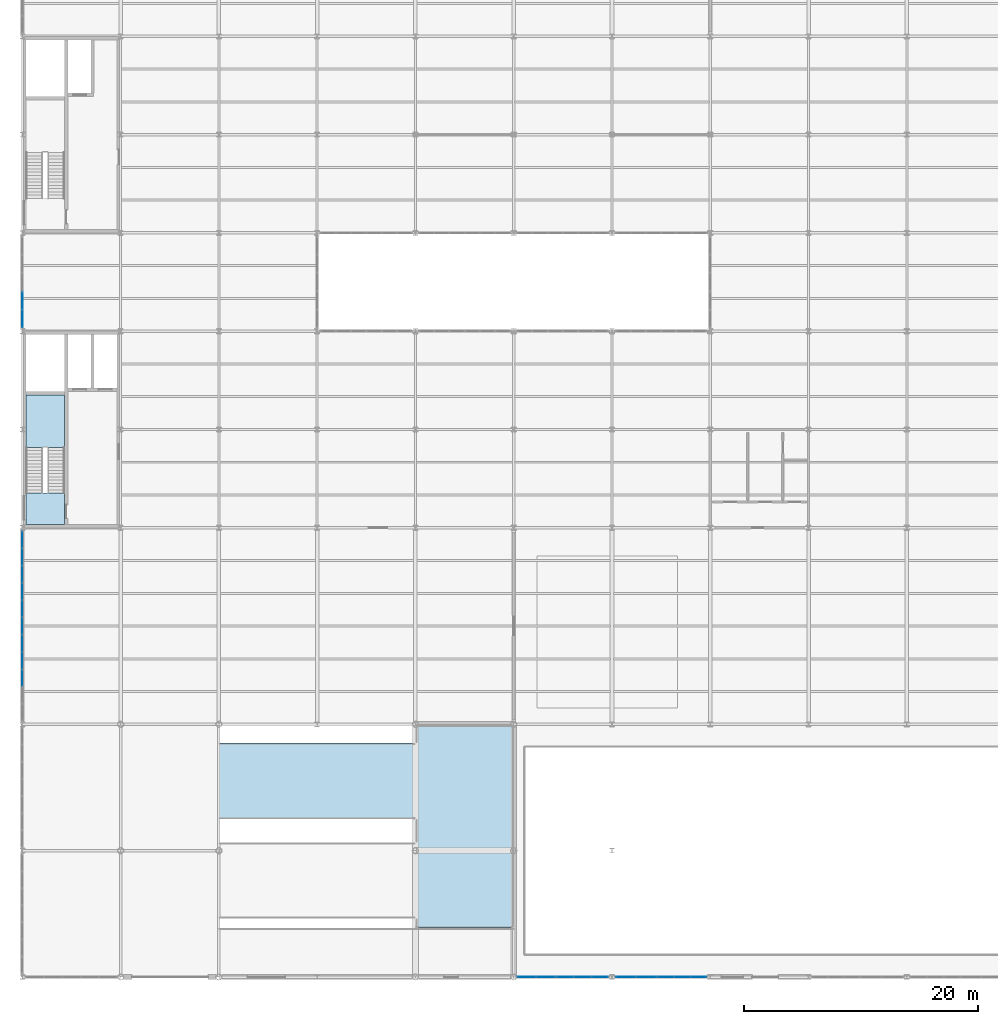
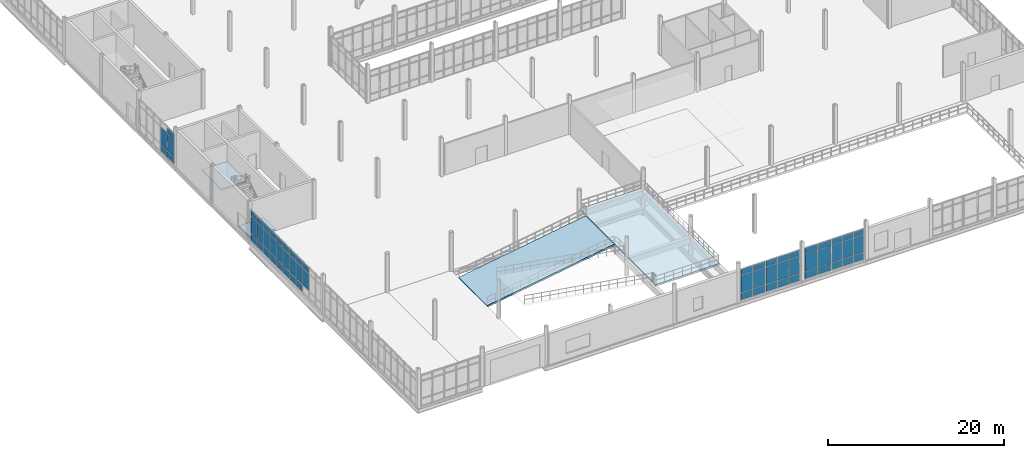
# One storey, part 77 of 111: 61 plates, 4 slabs, 7 elements without a shape of their own.
"""IFC4 building model written with IfcOpenShell, lengths in metres."""

from ifc_helpers import new_model, si_unit, direction, frame, origin, origin_2d, place, context, subcontext, project, spatial, polyline, rectangle, outline, extrude, material, layer, layer_set, type_object, element, aggregate, save


model = new_model("IFC4")

# Units and contexts
model_context = context("Model", 3, precision=1e-05, world=origin(), true_north=direction((0.0, 1.0)))
body_context = subcontext(model_context, "Body", "Model", "MODEL_VIEW")
ifc_project = project(units=[si_unit("LENGTHUNIT", "METRE"), si_unit("AREAUNIT", "SQUARE_METRE"), si_unit("VOLUMEUNIT", "CUBIC_METRE"), si_unit("PLANEANGLEUNIT", "RADIAN"), si_unit("MASSUNIT", "GRAM", prefix="KILO"), si_unit("THERMODYNAMICTEMPERATUREUNIT", "KELVIN"), si_unit("POWERUNIT", "WATT")], contexts=[model_context])

# Site, building, storey
site_placement = place(None, origin())
site = spatial("IfcSite", under=ifc_project, at=site_placement, CompositionType="ELEMENT")
building_placement = place(site_placement, origin())
building = spatial("IfcBuilding", under=site, at=building_placement, Name="Tembeka Court Mobility Hub", CompositionType="ELEMENT")
storey_placement = place(building_placement, origin())
storey = spatial("IfcBuildingStorey", under=building, at=storey_placement, Name="L00", CompositionType="ELEMENT", Elevation=0.0)

# Curtain wall, plates
ifc_material_1 = material(Name="Anodised aluminium 6063-T6", Category="aluminium")
ifc_layer_1 = layer(ifc_material_1, 0.159912109375)
ifc_layer_set_1 = layer_set([ifc_layer_1], Name="Anodised aluminium 6063-T6")
curtain_wall_type_1 = type_object("IfcCurtainWallType", Name="CW-SYS02", PredefinedType="USERDEFINED", material=ifc_layer_set_1)
curtain_wall_1_placement = place(storey_placement, origin())
curtain_wall_1 = element("IfcCurtainWall", 1, at=curtain_wall_1_placement, inside=storey, type_object=curtain_wall_type_1, Name="Unitised curtain wall CW02 (CW-L00-002)", ObjectType="UNITISED GLAZING", PredefinedType="USERDEFINED")
ifc_material_2 = material(Name="Laminated solar-control low-E glass", Category="glass")
ifc_layer_2 = layer(ifc_material_2, 0.028076171875)
ifc_layer_set_2 = layer_set([ifc_layer_2], Name="Laminated solar-control low-E glass")
plate_type_1 = type_object("IfcPlateType", Name="PL-CW01", PredefinedType="CURTAIN_PANEL", material=ifc_layer_set_2)
plate_1_placement = place(storey_placement, frame((43.124267578125, 0.0, 0.06494140625), z_axis=(0.0, 0.0, 1.0), x_axis=(1.0, 0.0, 0.0)))
plate_1 = element("IfcPlate", 2, at=plate_1_placement, type_object=plate_type_1, Name="CW02 panel 1.1", PredefinedType="CURTAIN_PANEL", context=body_context, shape_type="SweptSolid", body=[
    extrude(rectangle(XDim=1.55859375, YDim=0.028076171875, at=origin_2d()), origin(), (0.0, 0.0, 1.0), 0.952392578125),
])
plate_2_placement = place(storey_placement, frame((43.124267578125, 0.0, 1.08251953125), z_axis=(0.0, 0.0, 1.0), x_axis=(1.0, 0.0, 0.0)))
plate_2 = element("IfcPlate", 3, at=plate_2_placement, type_object=plate_type_1, Name="CW02 panel 1.2", PredefinedType="CURTAIN_PANEL", context=body_context, shape_type="SweptSolid", body=[
    extrude(rectangle(XDim=1.55859375, YDim=0.028076171875, at=origin_2d()), origin(), (0.0, 0.0, 1.0), 2.3701171875),
])
plate_3_placement = place(storey_placement, frame((43.124267578125, 0.0, 3.517578125), z_axis=(0.0, 0.0, 1.0), x_axis=(1.0, 0.0, 0.0)))
plate_3 = element("IfcPlate", 4, at=plate_3_placement, type_object=plate_type_1, Name="CW02 panel 1.3", PredefinedType="CURTAIN_PANEL", context=body_context, shape_type="SweptSolid", body=[
    extrude(rectangle(XDim=1.55859375, YDim=0.028076171875, at=origin_2d()), origin(), (0.0, 0.0, 1.0), 0.75244140625),
])
plate_4_placement = place(storey_placement, frame((44.747802734375, 0.0, 0.06494140625), z_axis=(0.0, 0.0, 1.0), x_axis=(1.0, 0.0, 0.0)))
plate_4 = element("IfcPlate", 5, at=plate_4_placement, type_object=plate_type_1, Name="CW02 panel 2.1", PredefinedType="CURTAIN_PANEL", context=body_context, shape_type="SweptSolid", body=[
    extrude(rectangle(XDim=1.55859375, YDim=0.028076171875, at=origin_2d()), origin(), (0.0, 0.0, 1.0), 0.952392578125),
])
plate_5_placement = place(storey_placement, frame((44.747802734375, 0.0, 1.08251953125), z_axis=(0.0, 0.0, 1.0), x_axis=(1.0, 0.0, 0.0)))
plate_5 = element("IfcPlate", 6, at=plate_5_placement, type_object=plate_type_1, Name="CW02 panel 2.2", PredefinedType="CURTAIN_PANEL", context=body_context, shape_type="SweptSolid", body=[
    extrude(rectangle(XDim=1.55859375, YDim=0.028076171875, at=origin_2d()), origin(), (0.0, 0.0, 1.0), 2.3701171875),
])
plate_6_placement = place(storey_placement, frame((44.747802734375, 0.0, 3.517578125), z_axis=(0.0, 0.0, 1.0), x_axis=(1.0, 0.0, 0.0)))
plate_6 = element("IfcPlate", 7, at=plate_6_placement, type_object=plate_type_1, Name="CW02 panel 2.3", PredefinedType="CURTAIN_PANEL", context=body_context, shape_type="SweptSolid", body=[
    extrude(rectangle(XDim=1.55859375, YDim=0.028076171875, at=origin_2d()), origin(), (0.0, 0.0, 1.0), 0.75244140625),
])
aggregate(curtain_wall_1, [plate_1, plate_2, plate_3, plate_4, plate_5, plate_6])

ifc_layer_3 = layer(ifc_material_1, 0.159912109375)
ifc_layer_set_3 = layer_set([ifc_layer_3], Name="Anodised aluminium 6063-T6")
curtain_wall_type_2 = type_object("IfcCurtainWallType", Name="CW-SYS03", PredefinedType="USERDEFINED", material=ifc_layer_set_3)
curtain_wall_2_placement = place(storey_placement, origin())
curtain_wall_2 = element("IfcCurtainWall", 8, at=curtain_wall_2_placement, inside=storey, type_object=curtain_wall_type_2, Name="Unitised curtain wall CW03 (CW-L00-003)", ObjectType="UNITISED GLAZING", PredefinedType="USERDEFINED")
plate_7_placement = place(storey_placement, frame((46.396240234375, 0.0, 0.06494140625), z_axis=(0.0, 0.0, 1.0), x_axis=(1.0, 0.0, 0.0)))
plate_7 = element("IfcPlate", 9, at=plate_7_placement, type_object=plate_type_1, Name="CW03 panel 1.1", PredefinedType="CURTAIN_PANEL", context=body_context, shape_type="SweptSolid", body=[
    extrude(rectangle(XDim=1.3984375, YDim=0.028076171875, at=origin_2d()), origin(), (0.0, 0.0, 1.0), 0.952392578125),
])
plate_8_placement = place(storey_placement, frame((46.396240234375, 0.0, 1.08251953125), z_axis=(0.0, 0.0, 1.0), x_axis=(1.0, 0.0, 0.0)))
plate_8 = element("IfcPlate", 10, at=plate_8_placement, type_object=plate_type_1, Name="CW03 panel 1.2", PredefinedType="CURTAIN_PANEL", context=body_context, shape_type="SweptSolid", body=[
    extrude(rectangle(XDim=1.3984375, YDim=0.028076171875, at=origin_2d()), origin(), (0.0, 0.0, 1.0), 2.3701171875),
])
plate_9_placement = place(storey_placement, frame((46.396240234375, 0.0, 3.517578125), z_axis=(0.0, 0.0, 1.0), x_axis=(1.0, 0.0, 0.0)))
plate_9 = element("IfcPlate", 11, at=plate_9_placement, type_object=plate_type_1, Name="CW03 panel 1.3", PredefinedType="CURTAIN_PANEL", context=body_context, shape_type="SweptSolid", body=[
    extrude(rectangle(XDim=1.3984375, YDim=0.028076171875, at=origin_2d()), origin(), (0.0, 0.0, 1.0), 0.75244140625),
])
plate_10_placement = place(storey_placement, frame((47.8759765625, 0.0, 0.06494140625), z_axis=(0.0, 0.0, 1.0), x_axis=(1.0, 0.0, 0.0)))
plate_10 = element("IfcPlate", 12, at=plate_10_placement, type_object=plate_type_1, Name="CW03 panel 2.1", PredefinedType="CURTAIN_PANEL", context=body_context, shape_type="SweptSolid", body=[
    extrude(rectangle(XDim=1.430908203125, YDim=0.028076171875, at=origin_2d()), origin(), (0.0, 0.0, 1.0), 0.952392578125),
])
plate_11_placement = place(storey_placement, frame((47.8759765625, 0.0, 1.08251953125), z_axis=(0.0, 0.0, 1.0), x_axis=(1.0, 0.0, 0.0)))
plate_11 = element("IfcPlate", 13, at=plate_11_placement, type_object=plate_type_1, Name="CW03 panel 2.2", PredefinedType="CURTAIN_PANEL", context=body_context, shape_type="SweptSolid", body=[
    extrude(rectangle(XDim=1.430908203125, YDim=0.028076171875, at=origin_2d()), origin(), (0.0, 0.0, 1.0), 2.3701171875),
])
plate_12_placement = place(storey_placement, frame((47.8759765625, 0.0, 3.517578125), z_axis=(0.0, 0.0, 1.0), x_axis=(1.0, 0.0, 0.0)))
plate_12 = element("IfcPlate", 14, at=plate_12_placement, type_object=plate_type_1, Name="CW03 panel 2.3", PredefinedType="CURTAIN_PANEL", context=body_context, shape_type="SweptSolid", body=[
    extrude(rectangle(XDim=1.430908203125, YDim=0.028076171875, at=origin_2d()), origin(), (0.0, 0.0, 1.0), 0.75244140625),
])
plate_13_placement = place(storey_placement, frame((49.355712890625, 0.0, 0.06494140625), z_axis=(0.0, 0.0, 1.0), x_axis=(1.0, 0.0, 0.0)))
plate_13 = element("IfcPlate", 15, at=plate_13_placement, type_object=plate_type_1, Name="CW03 panel 3.1", PredefinedType="CURTAIN_PANEL", context=body_context, shape_type="SweptSolid", body=[
    extrude(rectangle(XDim=1.3984375, YDim=0.028076171875, at=origin_2d()), origin(), (0.0, 0.0, 1.0), 0.952392578125),
])
plate_14_placement = place(storey_placement, frame((49.355712890625, 0.0, 1.08251953125), z_axis=(0.0, 0.0, 1.0), x_axis=(1.0, 0.0, 0.0)))
plate_14 = element("IfcPlate", 16, at=plate_14_placement, type_object=plate_type_1, Name="CW03 panel 3.2", PredefinedType="CURTAIN_PANEL", context=body_context, shape_type="SweptSolid", body=[
    extrude(rectangle(XDim=1.3984375, YDim=0.028076171875, at=origin_2d()), origin(), (0.0, 0.0, 1.0), 2.3701171875),
])
plate_15_placement = place(storey_placement, frame((49.355712890625, 0.0, 3.517578125), z_axis=(0.0, 0.0, 1.0), x_axis=(1.0, 0.0, 0.0)))
plate_15 = element("IfcPlate", 17, at=plate_15_placement, type_object=plate_type_1, Name="CW03 panel 3.3", PredefinedType="CURTAIN_PANEL", context=body_context, shape_type="SweptSolid", body=[
    extrude(rectangle(XDim=1.3984375, YDim=0.028076171875, at=origin_2d()), origin(), (0.0, 0.0, 1.0), 0.75244140625),
])
aggregate(curtain_wall_2, [plate_7, plate_8, plate_9, plate_10, plate_11, plate_12, plate_13, plate_14, plate_15])

ifc_layer_4 = layer(ifc_material_1, 0.159912109375)
ifc_layer_set_4 = layer_set([ifc_layer_4], Name="Anodised aluminium 6063-T6")
curtain_wall_type_3 = type_object("IfcCurtainWallType", Name="CW-SYS05", PredefinedType="USERDEFINED", material=ifc_layer_set_4)
curtain_wall_3_placement = place(storey_placement, origin())
curtain_wall_3 = element("IfcCurtainWall", 18, at=curtain_wall_3_placement, inside=storey, type_object=curtain_wall_type_3, Name="Unitised curtain wall CW05 (CW-L00-005)", ObjectType="UNITISED GLAZING", PredefinedType="USERDEFINED")
plate_16_placement = place(storey_placement, frame((55.00634765625, 0.0, 0.06494140625), z_axis=(0.0, 0.0, 1.0), x_axis=(1.0, 0.0, 0.0)))
plate_16 = element("IfcPlate", 19, at=plate_16_placement, type_object=plate_type_1, Name="CW05 panel 1.1", PredefinedType="CURTAIN_PANEL", context=body_context, shape_type="SweptSolid", body=[
    extrude(rectangle(XDim=1.314453125, YDim=0.028076171875, at=origin_2d()), origin(), (0.0, 0.0, 1.0), 0.952392578125),
])
plate_17_placement = place(storey_placement, frame((55.00634765625, 0.0, 1.08251953125), z_axis=(0.0, 0.0, 1.0), x_axis=(1.0, 0.0, 0.0)))
plate_17 = element("IfcPlate", 20, at=plate_17_placement, type_object=plate_type_1, Name="CW05 panel 1.2", PredefinedType="CURTAIN_PANEL", context=body_context, shape_type="SweptSolid", body=[
    extrude(rectangle(XDim=1.314453125, YDim=0.028076171875, at=origin_2d()), origin(), (0.0, 0.0, 1.0), 2.3701171875),
])
plate_18_placement = place(storey_placement, frame((55.00634765625, 0.0, 3.517578125), z_axis=(0.0, 0.0, 1.0), x_axis=(1.0, 0.0, 0.0)))
plate_18 = element("IfcPlate", 21, at=plate_18_placement, type_object=plate_type_1, Name="CW05 panel 1.3", PredefinedType="CURTAIN_PANEL", context=body_context, shape_type="SweptSolid", body=[
    extrude(rectangle(XDim=1.314453125, YDim=0.028076171875, at=origin_2d()), origin(), (0.0, 0.0, 1.0), 0.75244140625),
])
plate_19_placement = place(storey_placement, frame((56.402099609375, 0.0, 0.06494140625), z_axis=(0.0, 0.0, 1.0), x_axis=(1.0, 0.0, 0.0)))
plate_19 = element("IfcPlate", 22, at=plate_19_placement, type_object=plate_type_1, Name="CW05 panel 2.1", PredefinedType="CURTAIN_PANEL", context=body_context, shape_type="SweptSolid", body=[
    extrude(rectangle(XDim=1.346923828125, YDim=0.028076171875, at=origin_2d()), origin(), (0.0, 0.0, 1.0), 0.952392578125),
])
plate_20_placement = place(storey_placement, frame((56.402099609375, 0.0, 1.08251953125), z_axis=(0.0, 0.0, 1.0), x_axis=(1.0, 0.0, 0.0)))
plate_20 = element("IfcPlate", 23, at=plate_20_placement, type_object=plate_type_1, Name="CW05 panel 2.2", PredefinedType="CURTAIN_PANEL", context=body_context, shape_type="SweptSolid", body=[
    extrude(rectangle(XDim=1.346923828125, YDim=0.028076171875, at=origin_2d()), origin(), (0.0, 0.0, 1.0), 2.3701171875),
])
plate_21_placement = place(storey_placement, frame((56.402099609375, 0.0, 3.517578125), z_axis=(0.0, 0.0, 1.0), x_axis=(1.0, 0.0, 0.0)))
plate_21 = element("IfcPlate", 24, at=plate_21_placement, type_object=plate_type_1, Name="CW05 panel 2.3", PredefinedType="CURTAIN_PANEL", context=body_context, shape_type="SweptSolid", body=[
    extrude(rectangle(XDim=1.346923828125, YDim=0.028076171875, at=origin_2d()), origin(), (0.0, 0.0, 1.0), 0.75244140625),
])
plate_22_placement = place(storey_placement, frame((57.7978515625, 0.0, 0.06494140625), z_axis=(0.0, 0.0, 1.0), x_axis=(1.0, 0.0, 0.0)))
plate_22 = element("IfcPlate", 25, at=plate_22_placement, type_object=plate_type_1, Name="CW05 panel 3.1", PredefinedType="CURTAIN_PANEL", context=body_context, shape_type="SweptSolid", body=[
    extrude(rectangle(XDim=1.314453125, YDim=0.028076171875, at=origin_2d()), origin(), (0.0, 0.0, 1.0), 0.952392578125),
])
plate_23_placement = place(storey_placement, frame((57.7978515625, 0.0, 1.08251953125), z_axis=(0.0, 0.0, 1.0), x_axis=(1.0, 0.0, 0.0)))
plate_23 = element("IfcPlate", 26, at=plate_23_placement, type_object=plate_type_1, Name="CW05 panel 3.2", PredefinedType="CURTAIN_PANEL", context=body_context, shape_type="SweptSolid", body=[
    extrude(rectangle(XDim=1.314453125, YDim=0.028076171875, at=origin_2d()), origin(), (0.0, 0.0, 1.0), 2.3701171875),
])
plate_24_placement = place(storey_placement, frame((57.7978515625, 0.0, 3.517578125), z_axis=(0.0, 0.0, 1.0), x_axis=(1.0, 0.0, 0.0)))
plate_24 = element("IfcPlate", 27, at=plate_24_placement, type_object=plate_type_1, Name="CW05 panel 3.3", PredefinedType="CURTAIN_PANEL", context=body_context, shape_type="SweptSolid", body=[
    extrude(rectangle(XDim=1.314453125, YDim=0.028076171875, at=origin_2d()), origin(), (0.0, 0.0, 1.0), 0.75244140625),
])
aggregate(curtain_wall_3, [plate_16, plate_17, plate_18, plate_19, plate_20, plate_21, plate_22, plate_23, plate_24])

ifc_layer_5 = layer(ifc_material_1, 0.159912109375)
ifc_layer_set_5 = layer_set([ifc_layer_5], Name="Anodised aluminium 6063-T6")
curtain_wall_type_4 = type_object("IfcCurtainWallType", Name="CW-SYS19", PredefinedType="USERDEFINED", material=ifc_layer_set_5)
curtain_wall_4_placement = place(storey_placement, origin())
curtain_wall_4 = element("IfcCurtainWall", 28, at=curtain_wall_4_placement, inside=storey, type_object=curtain_wall_type_4, Name="Unitised curtain wall CW19 (CW-L00-026)", ObjectType="UNITISED GLAZING", PredefinedType="USERDEFINED")
plate_25_placement = place(storey_placement, frame((0.0, 25.57080078125, 1.08251953125), z_axis=(0.0, 0.0, 1.0), x_axis=(0.0, 1.0, 0.0)))
plate_25 = element("IfcPlate", 29, at=plate_25_placement, type_object=plate_type_1, Name="CW19 panel 3.2", PredefinedType="CURTAIN_PANEL", context=body_context, shape_type="SweptSolid", body=[
    extrude(rectangle(XDim=1.411376953125, YDim=0.028076171875, at=origin_2d()), origin(), (0.0, 0.0, 1.0), 2.3701171875),
])
plate_26_placement = place(storey_placement, frame((0.0, 25.57080078125, 3.517578125), z_axis=(0.0, 0.0, 1.0), x_axis=(0.0, 1.0, 0.0)))
plate_26 = element("IfcPlate", 30, at=plate_26_placement, type_object=plate_type_1, Name="CW19 panel 3.3", PredefinedType="CURTAIN_PANEL", context=body_context, shape_type="SweptSolid", body=[
    extrude(rectangle(XDim=1.411376953125, YDim=0.028076171875, at=origin_2d()), origin(), (0.0, 0.0, 1.0), 0.75244140625),
])
plate_27_placement = place(storey_placement, frame((0.0, 27.04736328125, 0.06494140625), z_axis=(0.0, 0.0, 1.0), x_axis=(0.0, 1.0, 0.0)))
plate_27 = element("IfcPlate", 31, at=plate_27_placement, type_object=plate_type_1, Name="CW19 panel 4.1", PredefinedType="CURTAIN_PANEL", context=body_context, shape_type="SweptSolid", body=[
    extrude(rectangle(XDim=1.411376953125, YDim=0.028076171875, at=origin_2d()), origin(), (0.0, 0.0, 1.0), 0.952392578125),
])
plate_28_placement = place(storey_placement, frame((0.0, 27.04736328125, 1.08251953125), z_axis=(0.0, 0.0, 1.0), x_axis=(0.0, 1.0, 0.0)))
plate_28 = element("IfcPlate", 32, at=plate_28_placement, type_object=plate_type_1, Name="CW19 panel 4.2", PredefinedType="CURTAIN_PANEL", context=body_context, shape_type="SweptSolid", body=[
    extrude(rectangle(XDim=1.411376953125, YDim=0.028076171875, at=origin_2d()), origin(), (0.0, 0.0, 1.0), 2.3701171875),
])
plate_29_placement = place(storey_placement, frame((0.0, 27.04736328125, 3.517578125), z_axis=(0.0, 0.0, 1.0), x_axis=(0.0, 1.0, 0.0)))
plate_29 = element("IfcPlate", 33, at=plate_29_placement, type_object=plate_type_1, Name="CW19 panel 4.3", PredefinedType="CURTAIN_PANEL", context=body_context, shape_type="SweptSolid", body=[
    extrude(rectangle(XDim=1.411376953125, YDim=0.028076171875, at=origin_2d()), origin(), (0.0, 0.0, 1.0), 0.75244140625),
])
plate_30_placement = place(storey_placement, frame((0.0, 28.523681640625, 0.06494140625), z_axis=(0.0, 0.0, 1.0), x_axis=(0.0, 1.0, 0.0)))
plate_30 = element("IfcPlate", 34, at=plate_30_placement, type_object=plate_type_1, Name="CW19 panel 5.1", PredefinedType="CURTAIN_PANEL", context=body_context, shape_type="SweptSolid", body=[
    extrude(rectangle(XDim=1.411376953125, YDim=0.028076171875, at=origin_2d()), origin(), (0.0, 0.0, 1.0), 0.952392578125),
])
plate_31_placement = place(storey_placement, frame((0.0, 28.523681640625, 1.08251953125), z_axis=(0.0, 0.0, 1.0), x_axis=(0.0, 1.0, 0.0)))
plate_31 = element("IfcPlate", 35, at=plate_31_placement, type_object=plate_type_1, Name="CW19 panel 5.2", PredefinedType="CURTAIN_PANEL", context=body_context, shape_type="SweptSolid", body=[
    extrude(rectangle(XDim=1.411376953125, YDim=0.028076171875, at=origin_2d()), origin(), (0.0, 0.0, 1.0), 2.3701171875),
])
plate_32_placement = place(storey_placement, frame((0.0, 28.523681640625, 3.517578125), z_axis=(0.0, 0.0, 1.0), x_axis=(0.0, 1.0, 0.0)))
plate_32 = element("IfcPlate", 36, at=plate_32_placement, type_object=plate_type_1, Name="CW19 panel 5.3", PredefinedType="CURTAIN_PANEL", context=body_context, shape_type="SweptSolid", body=[
    extrude(rectangle(XDim=1.411376953125, YDim=0.028076171875, at=origin_2d()), origin(), (0.0, 0.0, 1.0), 0.75244140625),
])
plate_33_placement = place(storey_placement, frame((0.0, 30.0, 0.06494140625), z_axis=(0.0, 0.0, 1.0), x_axis=(0.0, 1.0, 0.0)))
plate_33 = element("IfcPlate", 37, at=plate_33_placement, type_object=plate_type_1, Name="CW19 panel 6.1", PredefinedType="CURTAIN_PANEL", context=body_context, shape_type="SweptSolid", body=[
    extrude(rectangle(XDim=1.411376953125, YDim=0.028076171875, at=origin_2d()), origin(), (0.0, 0.0, 1.0), 0.952392578125),
])
plate_34_placement = place(storey_placement, frame((0.0, 30.0, 1.08251953125), z_axis=(0.0, 0.0, 1.0), x_axis=(0.0, 1.0, 0.0)))
plate_34 = element("IfcPlate", 38, at=plate_34_placement, type_object=plate_type_1, Name="CW19 panel 6.2", PredefinedType="CURTAIN_PANEL", context=body_context, shape_type="SweptSolid", body=[
    extrude(rectangle(XDim=1.411376953125, YDim=0.028076171875, at=origin_2d()), origin(), (0.0, 0.0, 1.0), 2.3701171875),
])
plate_35_placement = place(storey_placement, frame((0.0, 30.0, 3.517578125), z_axis=(0.0, 0.0, 1.0), x_axis=(0.0, 1.0, 0.0)))
plate_35 = element("IfcPlate", 39, at=plate_35_placement, type_object=plate_type_1, Name="CW19 panel 6.3", PredefinedType="CURTAIN_PANEL", context=body_context, shape_type="SweptSolid", body=[
    extrude(rectangle(XDim=1.411376953125, YDim=0.028076171875, at=origin_2d()), origin(), (0.0, 0.0, 1.0), 0.75244140625),
])
plate_36_placement = place(storey_placement, frame((0.0, 31.476318359375, 0.06494140625), z_axis=(0.0, 0.0, 1.0), x_axis=(0.0, 1.0, 0.0)))
plate_36 = element("IfcPlate", 40, at=plate_36_placement, type_object=plate_type_1, Name="CW19 panel 7.1", PredefinedType="CURTAIN_PANEL", context=body_context, shape_type="SweptSolid", body=[
    extrude(rectangle(XDim=1.411376953125, YDim=0.028076171875, at=origin_2d()), origin(), (0.0, 0.0, 1.0), 0.952392578125),
])
plate_37_placement = place(storey_placement, frame((0.0, 31.476318359375, 1.08251953125), z_axis=(0.0, 0.0, 1.0), x_axis=(0.0, 1.0, 0.0)))
plate_37 = element("IfcPlate", 41, at=plate_37_placement, type_object=plate_type_1, Name="CW19 panel 7.2", PredefinedType="CURTAIN_PANEL", context=body_context, shape_type="SweptSolid", body=[
    extrude(rectangle(XDim=1.411376953125, YDim=0.028076171875, at=origin_2d()), origin(), (0.0, 0.0, 1.0), 2.3701171875),
])
plate_38_placement = place(storey_placement, frame((0.0, 31.476318359375, 3.517578125), z_axis=(0.0, 0.0, 1.0), x_axis=(0.0, 1.0, 0.0)))
plate_38 = element("IfcPlate", 42, at=plate_38_placement, type_object=plate_type_1, Name="CW19 panel 7.3", PredefinedType="CURTAIN_PANEL", context=body_context, shape_type="SweptSolid", body=[
    extrude(rectangle(XDim=1.411376953125, YDim=0.028076171875, at=origin_2d()), origin(), (0.0, 0.0, 1.0), 0.75244140625),
])
plate_39_placement = place(storey_placement, frame((0.0, 32.95263671875, 0.06494140625), z_axis=(0.0, 0.0, 1.0), x_axis=(0.0, 1.0, 0.0)))
plate_39 = element("IfcPlate", 43, at=plate_39_placement, type_object=plate_type_1, Name="CW19 panel 8.1", PredefinedType="CURTAIN_PANEL", context=body_context, shape_type="SweptSolid", body=[
    extrude(rectangle(XDim=1.411376953125, YDim=0.028076171875, at=origin_2d()), origin(), (0.0, 0.0, 1.0), 0.952392578125),
])
plate_40_placement = place(storey_placement, frame((0.0, 32.95263671875, 1.08251953125), z_axis=(0.0, 0.0, 1.0), x_axis=(0.0, 1.0, 0.0)))
plate_40 = element("IfcPlate", 44, at=plate_40_placement, type_object=plate_type_1, Name="CW19 panel 8.2", PredefinedType="CURTAIN_PANEL", context=body_context, shape_type="SweptSolid", body=[
    extrude(rectangle(XDim=1.411376953125, YDim=0.028076171875, at=origin_2d()), origin(), (0.0, 0.0, 1.0), 2.3701171875),
])
plate_41_placement = place(storey_placement, frame((0.0, 32.95263671875, 3.517578125), z_axis=(0.0, 0.0, 1.0), x_axis=(0.0, 1.0, 0.0)))
plate_41 = element("IfcPlate", 45, at=plate_41_placement, type_object=plate_type_1, Name="CW19 panel 8.3", PredefinedType="CURTAIN_PANEL", context=body_context, shape_type="SweptSolid", body=[
    extrude(rectangle(XDim=1.411376953125, YDim=0.028076171875, at=origin_2d()), origin(), (0.0, 0.0, 1.0), 0.75244140625),
])
plate_42_placement = place(storey_placement, frame((0.0, 34.42919921875, 0.06494140625), z_axis=(0.0, 0.0, 1.0), x_axis=(0.0, 1.0, 0.0)))
plate_42 = element("IfcPlate", 46, at=plate_42_placement, type_object=plate_type_1, Name="CW19 panel 9.1", PredefinedType="CURTAIN_PANEL", context=body_context, shape_type="SweptSolid", body=[
    extrude(rectangle(XDim=1.411376953125, YDim=0.028076171875, at=origin_2d()), origin(), (0.0, 0.0, 1.0), 0.952392578125),
])
plate_43_placement = place(storey_placement, frame((0.0, 34.42919921875, 1.08251953125), z_axis=(0.0, 0.0, 1.0), x_axis=(0.0, 1.0, 0.0)))
plate_43 = element("IfcPlate", 47, at=plate_43_placement, type_object=plate_type_1, Name="CW19 panel 9.2", PredefinedType="CURTAIN_PANEL", context=body_context, shape_type="SweptSolid", body=[
    extrude(rectangle(XDim=1.411376953125, YDim=0.028076171875, at=origin_2d()), origin(), (0.0, 0.0, 1.0), 2.3701171875),
])
plate_44_placement = place(storey_placement, frame((0.0, 34.42919921875, 3.517578125), z_axis=(0.0, 0.0, 1.0), x_axis=(0.0, 1.0, 0.0)))
plate_44 = element("IfcPlate", 48, at=plate_44_placement, type_object=plate_type_1, Name="CW19 panel 9.3", PredefinedType="CURTAIN_PANEL", context=body_context, shape_type="SweptSolid", body=[
    extrude(rectangle(XDim=1.411376953125, YDim=0.028076171875, at=origin_2d()), origin(), (0.0, 0.0, 1.0), 0.75244140625),
])
plate_45_placement = place(storey_placement, frame((0.0, 35.905517578125, 0.06494140625), z_axis=(0.0, 0.0, 1.0), x_axis=(0.0, 1.0, 0.0)))
plate_45 = element("IfcPlate", 49, at=plate_45_placement, type_object=plate_type_1, Name="CW19 panel 10.1", PredefinedType="CURTAIN_PANEL", context=body_context, shape_type="SweptSolid", body=[
    extrude(rectangle(XDim=1.411376953125, YDim=0.028076171875, at=origin_2d()), origin(), (0.0, 0.0, 1.0), 0.952392578125),
])
plate_46_placement = place(storey_placement, frame((0.0, 35.905517578125, 1.08251953125), z_axis=(0.0, 0.0, 1.0), x_axis=(0.0, 1.0, 0.0)))
plate_46 = element("IfcPlate", 50, at=plate_46_placement, type_object=plate_type_1, Name="CW19 panel 10.2", PredefinedType="CURTAIN_PANEL", context=body_context, shape_type="SweptSolid", body=[
    extrude(rectangle(XDim=1.411376953125, YDim=0.028076171875, at=origin_2d()), origin(), (0.0, 0.0, 1.0), 2.3701171875),
])
plate_47_placement = place(storey_placement, frame((0.0, 35.905517578125, 3.517578125), z_axis=(0.0, 0.0, 1.0), x_axis=(0.0, 1.0, 0.0)))
plate_47 = element("IfcPlate", 51, at=plate_47_placement, type_object=plate_type_1, Name="CW19 panel 10.3", PredefinedType="CURTAIN_PANEL", context=body_context, shape_type="SweptSolid", body=[
    extrude(rectangle(XDim=1.411376953125, YDim=0.028076171875, at=origin_2d()), origin(), (0.0, 0.0, 1.0), 0.75244140625),
])
plate_48_placement = place(storey_placement, frame((0.0, 37.365478515625, 0.06494140625), z_axis=(0.0, 0.0, 1.0), x_axis=(0.0, 1.0, 0.0)))
plate_48 = element("IfcPlate", 52, at=plate_48_placement, type_object=plate_type_1, Name="CW19 panel 11.1", PredefinedType="CURTAIN_PANEL", context=body_context, shape_type="SweptSolid", body=[
    extrude(rectangle(XDim=1.37890625, YDim=0.028076171875, at=origin_2d()), origin(), (0.0, 0.0, 1.0), 0.952392578125),
])
plate_49_placement = place(storey_placement, frame((0.0, 37.365478515625, 1.08251953125), z_axis=(0.0, 0.0, 1.0), x_axis=(0.0, 1.0, 0.0)))
plate_49 = element("IfcPlate", 53, at=plate_49_placement, type_object=plate_type_1, Name="CW19 panel 11.2", PredefinedType="CURTAIN_PANEL", context=body_context, shape_type="SweptSolid", body=[
    extrude(rectangle(XDim=1.37890625, YDim=0.028076171875, at=origin_2d()), origin(), (0.0, 0.0, 1.0), 2.3701171875),
])
plate_50_placement = place(storey_placement, frame((0.0, 37.365478515625, 3.517578125), z_axis=(0.0, 0.0, 1.0), x_axis=(0.0, 1.0, 0.0)))
plate_50 = element("IfcPlate", 54, at=plate_50_placement, type_object=plate_type_1, Name="CW19 panel 11.3", PredefinedType="CURTAIN_PANEL", context=body_context, shape_type="SweptSolid", body=[
    extrude(rectangle(XDim=1.37890625, YDim=0.028076171875, at=origin_2d()), origin(), (0.0, 0.0, 1.0), 0.75244140625),
])
aggregate(curtain_wall_4, [plate_25, plate_26, plate_27, plate_28, plate_29, plate_30, plate_31, plate_32, plate_33, plate_34, plate_35, plate_36, plate_37, plate_38, plate_39, plate_40, plate_41, plate_42, plate_43, plate_44, plate_45, plate_46, plate_47, plate_48, plate_49, plate_50])

ifc_layer_6 = layer(ifc_material_1, 0.159912109375)
ifc_layer_set_6 = layer_set([ifc_layer_6], Name="Anodised aluminium 6063-T6")
curtain_wall_type_5 = type_object("IfcCurtainWallType", Name="CW-SYS04", PredefinedType="USERDEFINED", material=ifc_layer_set_6)
curtain_wall_5_placement = place(storey_placement, origin())
curtain_wall_5 = element("IfcCurtainWall", 55, at=curtain_wall_5_placement, inside=storey, type_object=curtain_wall_type_5, Name="Unitised curtain wall CW04 (CW-L00-004)", ObjectType="UNITISED GLAZING", PredefinedType="USERDEFINED")
ifc_material_3 = material(Name="Insulated aluminium spandrel panel", Category="aluminium")
ifc_layer_7 = layer(ifc_material_3, 0.052001953125)
ifc_layer_set_7 = layer_set([ifc_layer_7], Name="Insulated aluminium spandrel panel")
plate_type_2 = type_object("IfcPlateType", Name="PL-CW02", PredefinedType="CURTAIN_PANEL", material=ifc_layer_set_7)
plate_51_placement = place(storey_placement, frame((51.587158203125, 0.0, 0.06494140625), z_axis=(0.0, 0.0, 1.0), x_axis=(1.0, 0.0, 0.0)))
plate_51 = element("IfcPlate", 56, at=plate_51_placement, type_object=plate_type_2, Name="CW04 panel 1.1", PredefinedType="CURTAIN_PANEL", context=body_context, shape_type="SweptSolid", body=[
    extrude(rectangle(XDim=1.6845703125, YDim=0.052001953125, at=origin_2d()), origin(), (0.0, 0.0, 1.0), 0.952392578125),
])
plate_52_placement = place(storey_placement, frame((51.587158203125, 0.0, 1.08251953125), z_axis=(0.0, 0.0, 1.0), x_axis=(1.0, 0.0, 0.0)))
plate_52 = element("IfcPlate", 57, at=plate_52_placement, type_object=plate_type_2, Name="CW04 panel 1.2", PredefinedType="CURTAIN_PANEL", context=body_context, shape_type="SweptSolid", body=[
    extrude(rectangle(XDim=1.6845703125, YDim=0.052001953125, at=origin_2d()), origin(), (0.0, 0.0, 1.0), 2.3701171875),
])
plate_53_placement = place(storey_placement, frame((51.587158203125, 0.0, 3.517578125), z_axis=(0.0, 0.0, 1.0), x_axis=(1.0, 0.0, 0.0)))
plate_53 = element("IfcPlate", 58, at=plate_53_placement, type_object=plate_type_2, Name="CW04 panel 1.3", PredefinedType="CURTAIN_PANEL", context=body_context, shape_type="SweptSolid", body=[
    extrude(rectangle(XDim=1.6845703125, YDim=0.052001953125, at=origin_2d()), origin(), (0.0, 0.0, 1.0), 0.75244140625),
])
plate_54_placement = place(storey_placement, frame((53.336669921875, 0.0, 0.06494140625), z_axis=(0.0, 0.0, 1.0), x_axis=(1.0, 0.0, 0.0)))
plate_54 = element("IfcPlate", 59, at=plate_54_placement, type_object=plate_type_2, Name="CW04 panel 2.1", PredefinedType="CURTAIN_PANEL", context=body_context, shape_type="SweptSolid", body=[
    extrude(rectangle(XDim=1.6845703125, YDim=0.052001953125, at=origin_2d()), origin(), (0.0, 0.0, 1.0), 0.952392578125),
])
plate_55_placement = place(storey_placement, frame((53.336669921875, 0.0, 1.08251953125), z_axis=(0.0, 0.0, 1.0), x_axis=(1.0, 0.0, 0.0)))
plate_55 = element("IfcPlate", 60, at=plate_55_placement, type_object=plate_type_2, Name="CW04 panel 2.2", PredefinedType="CURTAIN_PANEL", context=body_context, shape_type="SweptSolid", body=[
    extrude(rectangle(XDim=1.6845703125, YDim=0.052001953125, at=origin_2d()), origin(), (0.0, 0.0, 1.0), 2.3701171875),
])
plate_56_placement = place(storey_placement, frame((53.336669921875, 0.0, 3.517578125), z_axis=(0.0, 0.0, 1.0), x_axis=(1.0, 0.0, 0.0)))
plate_56 = element("IfcPlate", 61, at=plate_56_placement, type_object=plate_type_2, Name="CW04 panel 2.3", PredefinedType="CURTAIN_PANEL", context=body_context, shape_type="SweptSolid", body=[
    extrude(rectangle(XDim=1.6845703125, YDim=0.052001953125, at=origin_2d()), origin(), (0.0, 0.0, 1.0), 0.75244140625),
])
aggregate(curtain_wall_5, [plate_51, plate_52, plate_53, plate_54, plate_55, plate_56])

ifc_layer_8 = layer(ifc_material_1, 0.159912109375)
ifc_layer_set_8 = layer_set([ifc_layer_8], Name="Anodised aluminium 6063-T6")
curtain_wall_type_6 = type_object("IfcCurtainWallType", Name="CW-SYS01", PredefinedType="USERDEFINED", material=ifc_layer_set_8)
curtain_wall_6_placement = place(storey_placement, origin())
curtain_wall_6 = element("IfcCurtainWall", 62, at=curtain_wall_6_placement, inside=storey, type_object=curtain_wall_type_6, Name="Unitised curtain wall CW01 (CW-L00-028)", ObjectType="UNITISED GLAZING", PredefinedType="USERDEFINED")
plate_57_placement = place(storey_placement, frame((0.0, 56.2802734375, 0.06494140625), z_axis=(0.0, 0.0, 1.0), x_axis=(0.0, 1.0, 0.0)))
plate_57 = element("IfcPlate", 63, at=plate_57_placement, type_object=plate_type_2, Name="CW01 panel 1.1", PredefinedType="CURTAIN_PANEL", context=body_context, shape_type="SweptSolid", body=[
    extrude(rectangle(XDim=1.470458984375, YDim=0.052001953125, at=origin_2d()), origin(), (0.0, 0.0, 1.0), 0.952392578125),
])
plate_58_placement = place(storey_placement, frame((0.0, 56.2802734375, 1.08251953125), z_axis=(0.0, 0.0, 1.0), x_axis=(0.0, 1.0, 0.0)))
plate_58 = element("IfcPlate", 64, at=plate_58_placement, type_object=plate_type_2, Name="CW01 panel 1.2", PredefinedType="CURTAIN_PANEL", context=body_context, shape_type="SweptSolid", body=[
    extrude(rectangle(XDim=1.470458984375, YDim=0.052001953125, at=origin_2d()), origin(), (0.0, 0.0, 1.0), 2.3701171875),
])
plate_59_placement = place(storey_placement, frame((0.0, 56.2802734375, 3.517578125), z_axis=(0.0, 0.0, 1.0), x_axis=(0.0, 1.0, 0.0)))
plate_59 = element("IfcPlate", 65, at=plate_59_placement, type_object=plate_type_2, Name="CW01 panel 1.3", PredefinedType="CURTAIN_PANEL", context=body_context, shape_type="SweptSolid", body=[
    extrude(rectangle(XDim=1.470458984375, YDim=0.052001953125, at=origin_2d()), origin(), (0.0, 0.0, 1.0), 0.75244140625),
])
plate_60_placement = place(storey_placement, frame((0.0, 57.83203125, 0.06494140625), z_axis=(0.0, 0.0, 1.0), x_axis=(0.0, 1.0, 0.0)))
plate_60 = element("IfcPlate", 66, at=plate_60_placement, type_object=plate_type_2, Name="CW01 panel 2.1", PredefinedType="CURTAIN_PANEL", context=body_context, shape_type="SweptSolid", body=[
    extrude(rectangle(XDim=1.5029296875, YDim=0.052001953125, at=origin_2d()), origin(), (0.0, 0.0, 1.0), 0.952392578125),
])
plate_61_placement = place(storey_placement, frame((0.0, 57.83203125, 1.08251953125), z_axis=(0.0, 0.0, 1.0), x_axis=(0.0, 1.0, 0.0)))
plate_61 = element("IfcPlate", 67, at=plate_61_placement, type_object=plate_type_2, Name="CW01 panel 2.2", PredefinedType="CURTAIN_PANEL", context=body_context, shape_type="SweptSolid", body=[
    extrude(rectangle(XDim=1.5029296875, YDim=0.052001953125, at=origin_2d()), origin(), (0.0, 0.0, 1.0), 2.3701171875),
])
aggregate(curtain_wall_6, [plate_57, plate_58, plate_59, plate_60, plate_61])

# Slabs
ifc_material_4 = material(Name="Concrete C40/50", Category="concrete")
ifc_layer_9 = layer(ifc_material_4, 0.199951171875)
ifc_layer_set_9 = layer_set([ifc_layer_9], Name="Concrete C40/50")
slab_type_1 = type_object("IfcSlabType", Name="SL-LD01", PredefinedType="LANDING", material=ifc_layer_set_9)
slab_1_placement = place(storey_placement, frame((0.0, 0.0, 2.449951171875)))
element("IfcSlab", 68, at=slab_1_placement, inside=storey, type_object=slab_type_1, Name="Car park vehicle ramp South R2 L00 half landing", PredefinedType="LANDING", context=body_context, shape_type="SweptSolid", body=[
    extrude(outline(polyline([(33.60009765625, 4.199951171875), (42.0, 4.199951171875), (42.0, 21.60009765625), (33.60009765625, 21.60009765625), (33.60009765625, 4.199951171875)])), origin(), (0.0, 0.0, 1.0), 0.25),
])
slab_2_placement = place(storey_placement, frame((0.0, 0.0, -0.25)))
element("IfcSlab", 69, at=slab_2_placement, inside=storey, type_object=slab_type_1, Name="Stair ST01 L00 floor landing slab", PredefinedType="LANDING", context=body_context, shape_type="SweptSolid", body=[
    extrude(outline(polyline([(0.300048828125, 38.699951171875), (3.60009765625, 38.699951171875), (3.60009765625, 41.35009765625), (0.300048828125, 41.35009765625), (0.300048828125, 38.699951171875)])), origin(), (0.0, 0.0, 1.0), 0.25),
])

# Stair, slab
stair_type = type_object("IfcStairType", Name="STR-ST01L00", PredefinedType="HALF_TURN_STAIR", material=ifc_material_4)
stair_placement = place(storey_placement, origin())
stair = element("IfcStair", 70, at=stair_placement, inside=storey, type_object=stair_type, Name="Protected exit stair ST01 (L00)", PredefinedType="HALF_TURN_STAIR")
slab_3_placement = place(storey_placement, frame((0.0, 0.0, 2.5)))
slab_3 = element("IfcSlab", 71, at=slab_3_placement, type_object=slab_type_1, Name="ST01L00 landing 1", PredefinedType="LANDING", context=body_context, shape_type="SweptSolid", body=[
    extrude(outline(polyline([(3.60009765625, 45.27001953125), (3.60009765625, 49.75), (0.300048828125, 49.75), (0.300048828125, 45.27001953125), (3.60009765625, 45.27001953125)])), origin(), (0.0, 0.0, 1.0), 0.199951171875),
])
aggregate(stair, [slab_3])

# Slab
ifc_layer_10 = layer(ifc_material_4, 0.235107421875)
ifc_layer_set_10 = layer_set([ifc_layer_10], Name="Concrete C40/50")
slab_type_2 = type_object("IfcSlabType", Name="SL-RP01", PredefinedType="FLOOR", material=ifc_layer_set_10)
slab_4_placement = place(storey_placement, frame((16.840087890625, 13.5, 0.0), z_axis=(-0.159415532957, 0.0, 0.98721157198), x_axis=(0.98721157198, 0.0, 0.159415532957)))
element("IfcSlab", 72, at=slab_4_placement, inside=storey, type_object=slab_type_2, Name="Car park vehicle ramp South R2 L00 structural ramp slab 1", PredefinedType="FLOOR", context=body_context, shape_type="SweptSolid", body=[
    extrude(outline(polyline([(0.0, 0.0), (16.936562716320793, 0.0), (16.936562716320793, 6.5), (0.0, 6.5), (0.0, 0.0)])), origin(), (0.0, 0.0, -1.0), 0.235107421875),
])

save(model, "model.ifc")
